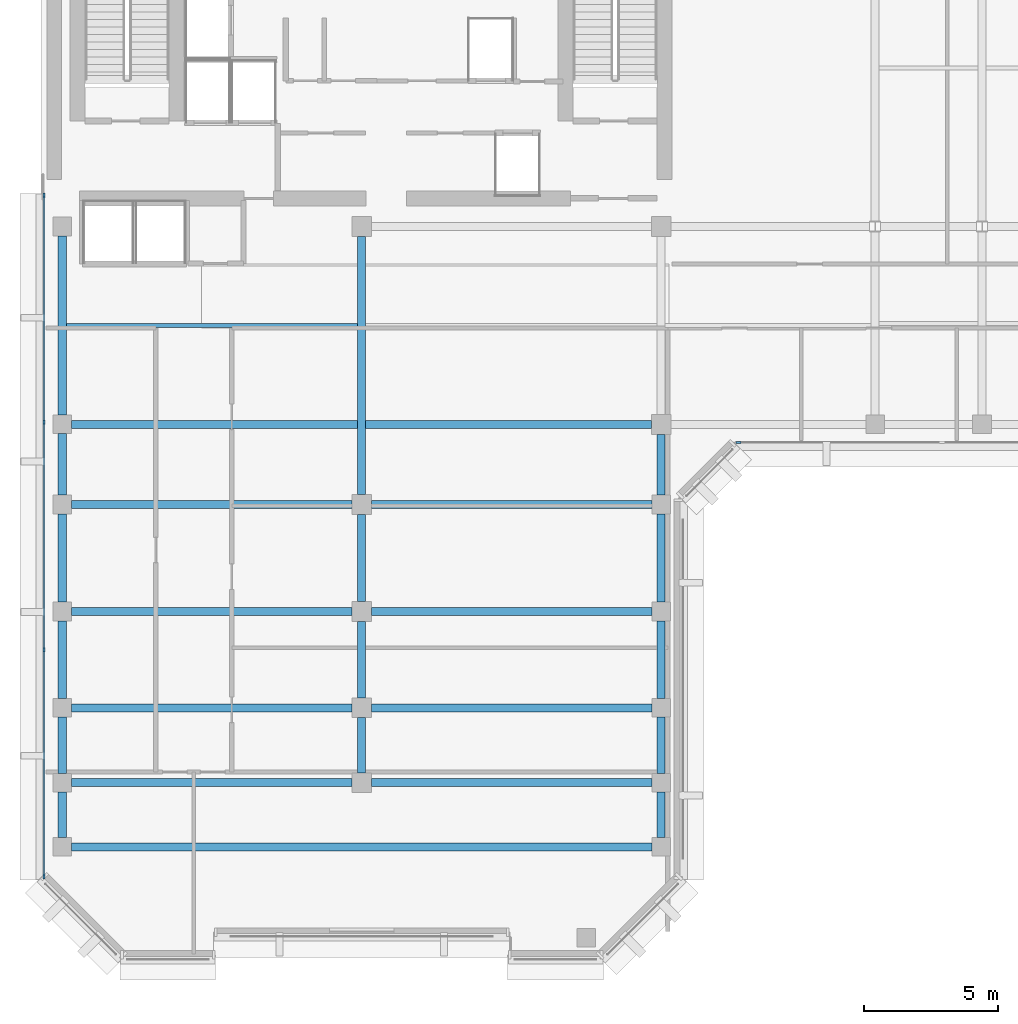
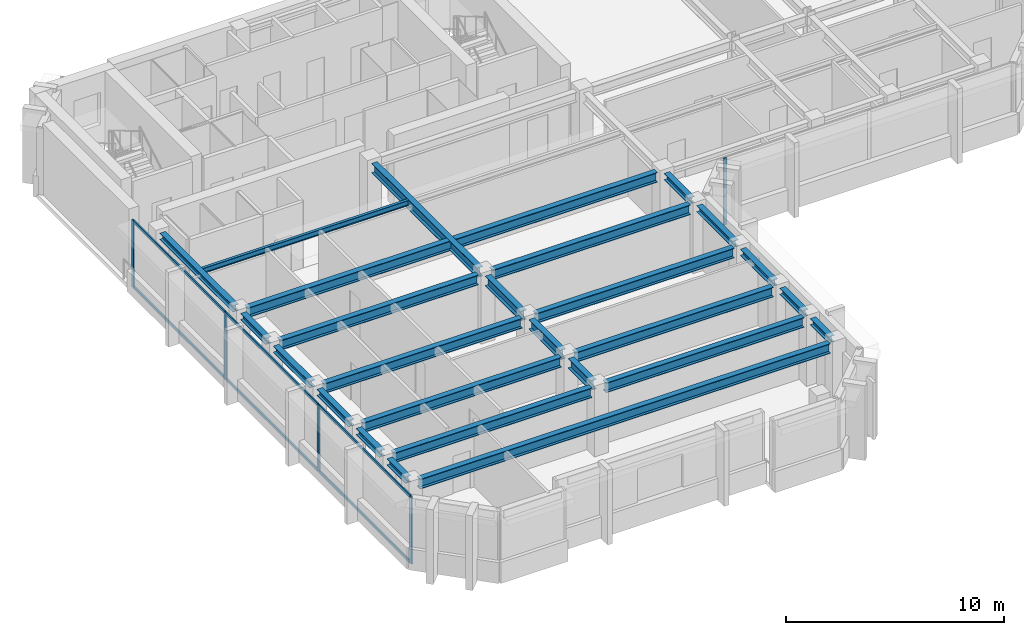
# One storey, part 2 of 12: 26 beams, 11 members, 2 elements without a shape of their own.
"""IFC4 building model written with IfcOpenShell, lengths in metres."""

from ifc_helpers import new_model, si_unit, direction, frame, origin, origin_2d, place, context, subcontext, project, spatial, rectangle, i_section, extrude, material, layer, layer_set, material_profile, profile_set, type_object, element, aggregate, save


model = new_model("IFC4")

# Units and contexts
model_context = context("Model", 3, precision=1e-05, world=origin(), true_north=direction((0.0, 1.0)))
body_context = subcontext(model_context, "Body", "Model", "MODEL_VIEW")
ifc_project = project(units=[si_unit("LENGTHUNIT", "METRE"), si_unit("AREAUNIT", "SQUARE_METRE"), si_unit("VOLUMEUNIT", "CUBIC_METRE"), si_unit("PLANEANGLEUNIT", "RADIAN"), si_unit("MASSUNIT", "GRAM", prefix="KILO")], contexts=[model_context])

# Site, building, storey
site_placement = place(None, origin())
site = spatial("IfcSite", under=ifc_project, at=site_placement, CompositionType="ELEMENT")
building_placement = place(site_placement, origin())
building = spatial("IfcBuilding", under=site, at=building_placement, Name="Kefirva Bronze Tower", CompositionType="ELEMENT")
storey_placement = place(building_placement, frame((0.0, 0.0, 280.169921875)))
storey = spatial("IfcBuildingStorey", under=building, at=storey_placement, Name="L68", CompositionType="ELEMENT", Elevation=280.169921875)

# Curtain wall, member
ifc_material_1 = material(Name="Bronze anodised aluminium", Category="aluminium")
ifc_layer = layer(ifc_material_1, 0.179931640625, Name="Bronze anodised aluminium")
ifc_layer_set = layer_set([ifc_layer], Name="Bronze anodised aluminium")
curtain_wall_type = type_object("IfcCurtainWallType", Name="Unitised Bronze Ribbon Curtain Wall Zone 4", PredefinedType="USERDEFINED", material=ifc_layer_set)
curtain_wall_1_placement = place(storey_placement, origin())
curtain_wall_1 = element("IfcCurtainWall", 1, at=curtain_wall_1_placement, inside=storey, type_object=curtain_wall_type, Name="L68 Curtain Wall 1", ObjectType="UNITISED CURTAIN WALL", PredefinedType="USERDEFINED")
ifc_material_profile_1 = material_profile(ifc_material_1, rectangle(XDim=0.074951171875, YDim=0.179931640625, at=origin_2d()), Name="ALU 75x180")
ifc_profile_set_1 = profile_set([ifc_material_profile_1], Name="Bronze anodised aluminium")
member_type_1 = type_object("IfcMemberType", Name="Bronze Mullion 75x180", PredefinedType="MULLION", material=ifc_profile_set_1)
member_1_placement = place(storey_placement, frame((26.092529296875, 25.1201171875, 0.0), z_axis=(0.0, 0.0, 1.0), x_axis=(0.0, 1.0, 0.0)))
member_1 = element("IfcMember", 2, at=member_1_placement, type_object=member_type_1, Name="CW-04 mullion 1", PredefinedType="MULLION", context=body_context, shape_type="SweptSolid", body=[
    extrude(rectangle(XDim=0.074951171875, YDim=0.179931640625, at=origin_2d()), origin(), (0.0, 0.0, 1.0), 3.739990234375),
])
aggregate(curtain_wall_1, [member_1])

# Curtain wall, members
curtain_wall_2_placement = place(storey_placement, origin())
curtain_wall_2 = element("IfcCurtainWall", 3, at=curtain_wall_2_placement, inside=storey, type_object=curtain_wall_type, Name="L68 Curtain Wall 4", ObjectType="UNITISED CURTAIN WALL", PredefinedType="USERDEFINED")
member_2_placement = place(storey_placement, frame((0.1201171875, 34.357421875, 0.0), z_axis=(0.0, 0.0, 1.0), x_axis=(1.0, 0.0, 0.0)))
member_2 = element("IfcMember", 4, at=member_2_placement, type_object=member_type_1, Name="CW-04 mullion 1", PredefinedType="MULLION", context=body_context, shape_type="SweptSolid", body=[
    extrude(rectangle(XDim=0.074951171875, YDim=0.179931640625, at=origin_2d()), origin(), (0.0, 0.0, 1.0), 3.739990234375),
])
member_3_placement = place(storey_placement, frame((0.1201171875, 25.881591796875, 0.0), z_axis=(0.0, 0.0, 1.0), x_axis=(1.0, 0.0, 0.0)))
member_3 = element("IfcMember", 5, at=member_3_placement, type_object=member_type_1, Name="CW-04 mullion 2", PredefinedType="MULLION", context=body_context, shape_type="SweptSolid", body=[
    extrude(rectangle(XDim=0.074951171875, YDim=0.179931640625, at=origin_2d()), origin(), (0.0, 0.0, 1.0), 3.739990234375),
])
member_4_placement = place(storey_placement, frame((0.1201171875, 17.368408203125, 0.0), z_axis=(0.0, 0.0, 1.0), x_axis=(1.0, 0.0, 0.0)))
member_4 = element("IfcMember", 6, at=member_4_placement, type_object=member_type_1, Name="CW-04 mullion 3", PredefinedType="MULLION", context=body_context, shape_type="SweptSolid", body=[
    extrude(rectangle(XDim=0.074951171875, YDim=0.179931640625, at=origin_2d()), origin(), (0.0, 0.0, 1.0), 3.739990234375),
])
member_5_placement = place(storey_placement, frame((0.1201171875, 8.892578125, 0.0), z_axis=(0.0, 0.0, 1.0), x_axis=(1.0, 0.0, 0.0)))
member_5 = element("IfcMember", 7, at=member_5_placement, type_object=member_type_1, Name="CW-04 mullion 4", PredefinedType="MULLION", context=body_context, shape_type="SweptSolid", body=[
    extrude(rectangle(XDim=0.074951171875, YDim=0.179931640625, at=origin_2d()), origin(), (0.0, 0.0, 1.0), 3.739990234375),
])
ifc_material_profile_2 = material_profile(ifc_material_1, rectangle(XDim=0.074951171875, YDim=0.14990234375, at=origin_2d()), Name="ALU 75x150")
ifc_profile_set_2 = profile_set([ifc_material_profile_2], Name="Bronze anodised aluminium")
member_type_2 = type_object("IfcMemberType", Name="Bronze Transom 75x150", PredefinedType="USERDEFINED", material=ifc_profile_set_2)
member_6_placement = place(storey_placement, frame((0.1201171875, 34.320068359375, 0.03759765625), z_axis=(0.0, -1.0, 0.0), x_axis=(1.0, 0.0, 0.0)))
member_6 = element("IfcMember", 8, at=member_6_placement, type_object=member_type_2, Name="CW-04 transom 1.1", ObjectType="TRANSOM", PredefinedType="USERDEFINED", context=body_context, shape_type="SweptSolid", body=[
    extrude(rectangle(XDim=0.074951171875, YDim=0.14990234375, at=origin_2d()), origin(), (0.0, 0.0, 1.0), 8.40087890625),
])
member_7_placement = place(storey_placement, frame((0.1201171875, 34.320068359375, 3.70263671875), z_axis=(0.0, -1.0, 0.0), x_axis=(1.0, 0.0, 0.0)))
member_7 = element("IfcMember", 9, at=member_7_placement, type_object=member_type_2, Name="CW-04 transom 1.2", ObjectType="TRANSOM", PredefinedType="USERDEFINED", context=body_context, shape_type="SweptSolid", body=[
    extrude(rectangle(XDim=0.074951171875, YDim=0.14990234375, at=origin_2d()), origin(), (0.0, 0.0, 1.0), 8.40087890625),
])
member_8_placement = place(storey_placement, frame((0.1201171875, 25.84423828125, 0.03759765625), z_axis=(0.0, -1.0, 0.0), x_axis=(1.0, 0.0, 0.0)))
member_8 = element("IfcMember", 10, at=member_8_placement, type_object=member_type_2, Name="CW-04 transom 2.1", ObjectType="TRANSOM", PredefinedType="USERDEFINED", context=body_context, shape_type="SweptSolid", body=[
    extrude(rectangle(XDim=0.074951171875, YDim=0.14990234375, at=origin_2d()), origin(), (0.0, 0.0, 1.0), 8.4384765625),
])
member_9_placement = place(storey_placement, frame((0.1201171875, 25.84423828125, 3.70263671875), z_axis=(0.0, -1.0, 0.0), x_axis=(1.0, 0.0, 0.0)))
member_9 = element("IfcMember", 11, at=member_9_placement, type_object=member_type_2, Name="CW-04 transom 2.2", ObjectType="TRANSOM", PredefinedType="USERDEFINED", context=body_context, shape_type="SweptSolid", body=[
    extrude(rectangle(XDim=0.074951171875, YDim=0.14990234375, at=origin_2d()), origin(), (0.0, 0.0, 1.0), 8.4384765625),
])
member_10_placement = place(storey_placement, frame((0.1201171875, 17.330810546875, 0.03759765625), z_axis=(0.0, -1.0, 0.0), x_axis=(1.0, 0.0, 0.0)))
member_10 = element("IfcMember", 12, at=member_10_placement, type_object=member_type_2, Name="CW-04 transom 3.1", ObjectType="TRANSOM", PredefinedType="USERDEFINED", context=body_context, shape_type="SweptSolid", body=[
    extrude(rectangle(XDim=0.074951171875, YDim=0.14990234375, at=origin_2d()), origin(), (0.0, 0.0, 1.0), 8.40087890625),
])
member_11_placement = place(storey_placement, frame((0.1201171875, 17.330810546875, 3.70263671875), z_axis=(0.0, -1.0, 0.0), x_axis=(1.0, 0.0, 0.0)))
member_11 = element("IfcMember", 13, at=member_11_placement, type_object=member_type_2, Name="CW-04 transom 3.2", ObjectType="TRANSOM", PredefinedType="USERDEFINED", context=body_context, shape_type="SweptSolid", body=[
    extrude(rectangle(XDim=0.074951171875, YDim=0.14990234375, at=origin_2d()), origin(), (0.0, 0.0, 1.0), 8.40087890625),
])
aggregate(curtain_wall_2, [member_2, member_3, member_4, member_5, member_6, member_7, member_8, member_9, member_10, member_11])

# Beams
ifc_material_2 = material(Name="Steel S355", Category="steel")
ifc_material_profile_3 = material_profile(ifc_material_2, i_section(OverallWidth=0.14990234375, OverallDepth=0.300048828125, WebThickness=0.007080078125, FlangeThickness=0.0107421875, at=origin_2d()), Name="IPE 300")
ifc_profile_set_3 = profile_set([ifc_material_profile_3], Name="Steel S355")
beam_type_1 = type_object("IfcBeamType", Name="Steel Floor Joist IPE 300", PredefinedType="JOIST", material=ifc_profile_set_3)
beam_1_placement = place(storey_placement, frame((0.949951171875, 29.489990234375, 3.590087890625), z_axis=(1.0, 0.0, 0.0), x_axis=(0.0, 1.0, 0.0)))
element("IfcBeam", 14, at=beam_1_placement, inside=storey, type_object=beam_type_1, Name="L68 JST-L68-0-294", PredefinedType="JOIST", context=body_context, shape_type="SweptSolid", body=[
    extrude(i_section(OverallWidth=0.14990234375, OverallDepth=0.300048828125, WebThickness=0.007080078125, FlangeThickness=0.0107421875, at=origin_2d()), origin(), (0.0, 0.0, 1.0), 10.900146484375),
])
ifc_material_profile_4 = material_profile(ifc_material_2, i_section(OverallWidth=0.300048828125, OverallDepth=0.550048828125, WebThickness=0.014892578125, FlangeThickness=0.029052734375, at=origin_2d()), Name="HEB 550")
ifc_profile_set_4 = profile_set([ifc_material_profile_4], Name="Steel S355")
beam_type_2 = type_object("IfcBeamType", Name="Steel Girder HEB 550", PredefinedType="USERDEFINED", material=ifc_profile_set_4)
beam_2_placement = place(storey_placement, frame((1.14990234375, 10.0, 3.465087890625), z_axis=(1.0, 0.0, 0.0), x_axis=(0.0, 1.0, 0.0)))
element("IfcBeam", 15, at=beam_2_placement, inside=storey, type_object=beam_type_2, Name="L68 BM-L68-EW-0-100", ObjectType="GIRDER", PredefinedType="USERDEFINED", context=body_context, shape_type="SweptSolid", body=[
    extrude(i_section(OverallWidth=0.300048828125, OverallDepth=0.550048828125, WebThickness=0.014892578125, FlangeThickness=0.029052734375, at=origin_2d()), origin(), (0.0, 0.0, 1.0), 21.7001953125),
])
for number, where, z_axis, x_axis, name in (
    (16, (1.14990234375, 12.39990234375, 3.465087890625), (1.0, 0.0, 0.0), (0.0, 1.0, 0.0), "L68 BM-L68-EW-0-124"),
    (17, (12.3701171875, 12.39990234375, 3.465087890625), (1.0, 0.0, 0.0), (0.0, 1.0, 0.0), "L68 BM-L68-EW-12-124"),
    (18, (1.14990234375, 15.199951171875, 3.465087890625), (1.0, 0.0, 0.0), (0.0, 1.0, 0.0), "L68 BM-L68-EW-0-152"),
    (19, (12.3701171875, 15.199951171875, 3.465087890625), (1.0, 0.0, 0.0), (0.0, 1.0, 0.0), "L68 BM-L68-EW-12-152"),
    (20, (1.14990234375, 18.800048828125, 3.465087890625), (1.0, 0.0, 0.0), (0.0, 1.0, 0.0), "L68 BM-L68-EW-0-188"),
    (21, (12.3701171875, 18.800048828125, 3.465087890625), (1.0, 0.0, 0.0), (0.0, 1.0, 0.0), "L68 BM-L68-EW-12-188"),
    (22, (1.14990234375, 22.800048828125, 3.465087890625), (1.0, 0.0, 0.0), (0.0, 1.0, 0.0), "L68 BM-L68-EW-0-228"),
    (23, (12.3701171875, 22.800048828125, 3.465087890625), (1.0, 0.0, 0.0), (0.0, 1.0, 0.0), "L68 BM-L68-EW-12-228"),
):
    element("IfcBeam", number, at=place(storey_placement, frame(where, z_axis=z_axis, x_axis=x_axis)), inside=storey, type_object=beam_type_2, Name=name, ObjectType="GIRDER", PredefinedType="USERDEFINED", context=body_context, shape_type="SweptSolid", body=[
        extrude(i_section(OverallWidth=0.300048828125, OverallDepth=0.550048828125, WebThickness=0.014892578125, FlangeThickness=0.029052734375, at=origin_2d()), origin(), (0.0, 0.0, 1.0), 10.47998046875),
    ])
beam_3_placement = place(storey_placement, frame((1.14990234375, 25.800048828125, 3.465087890625), z_axis=(1.0, 0.0, 0.0), x_axis=(0.0, 1.0, 0.0)))
element("IfcBeam", 24, at=beam_3_placement, inside=storey, type_object=beam_type_2, Name="L68 BM-L68-EW-0-258", ObjectType="GIRDER", PredefinedType="USERDEFINED", context=body_context, shape_type="SweptSolid", body=[
    extrude(i_section(OverallWidth=0.300048828125, OverallDepth=0.550048828125, WebThickness=0.014892578125, FlangeThickness=0.029052734375, at=origin_2d()), origin(), (0.0, 0.0, 1.0), 21.68017578125),
])
beam_4_placement = place(storey_placement, frame((12.0, 12.77001953125, 3.465087890625), z_axis=(0.0, 1.0, 0.0), x_axis=(-1.0, 0.0, 0.0)))
element("IfcBeam", 25, at=beam_4_placement, inside=storey, type_object=beam_type_2, Name="L68 BM-L68-NS-120-12", ObjectType="GIRDER", PredefinedType="USERDEFINED", context=body_context, shape_type="SweptSolid", body=[
    extrude(i_section(OverallWidth=0.300048828125, OverallDepth=0.550048828125, WebThickness=0.014892578125, FlangeThickness=0.029052734375, at=origin_2d()), origin(), (0.0, 0.0, 1.0), 2.06005859375),
])
beam_5_placement = place(storey_placement, frame((12.0, 15.570068359375, 3.465087890625), z_axis=(0.0, 1.0, 0.0), x_axis=(-1.0, 0.0, 0.0)))
element("IfcBeam", 26, at=beam_5_placement, inside=storey, type_object=beam_type_2, Name="L68 BM-L68-NS-120-15", ObjectType="GIRDER", PredefinedType="USERDEFINED", context=body_context, shape_type="SweptSolid", body=[
    extrude(i_section(OverallWidth=0.300048828125, OverallDepth=0.550048828125, WebThickness=0.014892578125, FlangeThickness=0.029052734375, at=origin_2d()), origin(), (0.0, 0.0, 1.0), 2.85986328125),
])
beam_6_placement = place(storey_placement, frame((12.0, 19.169921875, 3.465087890625), z_axis=(0.0, 1.0, 0.0), x_axis=(-1.0, 0.0, 0.0)))
element("IfcBeam", 27, at=beam_6_placement, inside=storey, type_object=beam_type_2, Name="L68 BM-L68-NS-120-18", ObjectType="GIRDER", PredefinedType="USERDEFINED", context=body_context, shape_type="SweptSolid", body=[
    extrude(i_section(OverallWidth=0.300048828125, OverallDepth=0.550048828125, WebThickness=0.014892578125, FlangeThickness=0.029052734375, at=origin_2d()), origin(), (0.0, 0.0, 1.0), 3.260009765625),
])
beam_7_placement = place(storey_placement, frame((12.0, 23.169921875, 3.465087890625), z_axis=(0.0, 1.0, 0.0), x_axis=(-1.0, 0.0, 0.0)))
element("IfcBeam", 28, at=beam_7_placement, inside=storey, type_object=beam_type_2, Name="L68 BM-L68-NS-120-22", ObjectType="GIRDER", PredefinedType="USERDEFINED", context=body_context, shape_type="SweptSolid", body=[
    extrude(i_section(OverallWidth=0.300048828125, OverallDepth=0.550048828125, WebThickness=0.014892578125, FlangeThickness=0.029052734375, at=origin_2d()), origin(), (0.0, 0.0, 1.0), 9.66015625),
])
ifc_material_profile_5 = material_profile(ifc_material_2, i_section(OverallWidth=0.300048828125, OverallDepth=0.360107421875, WebThickness=0.012451171875, FlangeThickness=0.0224609375, at=origin_2d()), Name="HEB 360")
ifc_profile_set_5 = profile_set([ifc_material_profile_5], Name="Steel S355")
beam_type_3 = type_object("IfcBeamType", Name="Steel Spandrel HEB 360 Ext", PredefinedType="SPANDREL", material=ifc_profile_set_5)
beam_8_placement = place(storey_placement, frame((0.800048828125, 10.35009765625, 3.56005859375), z_axis=(0.0, 1.0, 0.0), x_axis=(-1.0, 0.0, 0.0)))
element("IfcBeam", 29, at=beam_8_placement, inside=storey, type_object=beam_type_3, Name="L68 BM-L68-NS-8-10", PredefinedType="SPANDREL", context=body_context, shape_type="SweptSolid", body=[
    extrude(i_section(OverallWidth=0.300048828125, OverallDepth=0.360107421875, WebThickness=0.012451171875, FlangeThickness=0.0224609375, at=origin_2d()), origin(), (0.0, 0.0, 1.0), 1.699951171875),
])
beam_9_placement = place(storey_placement, frame((0.800048828125, 12.75, 3.56005859375), z_axis=(0.0, 1.0, 0.0), x_axis=(-1.0, 0.0, 0.0)))
element("IfcBeam", 30, at=beam_9_placement, inside=storey, type_object=beam_type_3, Name="L68 BM-L68-NS-8-12", PredefinedType="SPANDREL", context=body_context, shape_type="SweptSolid", body=[
    extrude(i_section(OverallWidth=0.300048828125, OverallDepth=0.360107421875, WebThickness=0.012451171875, FlangeThickness=0.0224609375, at=origin_2d()), origin(), (0.0, 0.0, 1.0), 2.10009765625),
])
beam_10_placement = place(storey_placement, frame((0.800048828125, 15.550048828125, 3.56005859375), z_axis=(0.0, 1.0, 0.0), x_axis=(-1.0, 0.0, 0.0)))
element("IfcBeam", 31, at=beam_10_placement, inside=storey, type_object=beam_type_3, Name="L68 BM-L68-NS-8-15", PredefinedType="SPANDREL", context=body_context, shape_type="SweptSolid", body=[
    extrude(i_section(OverallWidth=0.300048828125, OverallDepth=0.360107421875, WebThickness=0.012451171875, FlangeThickness=0.0224609375, at=origin_2d()), origin(), (0.0, 0.0, 1.0), 2.89990234375),
])
beam_11_placement = place(storey_placement, frame((0.800048828125, 19.14990234375, 3.56005859375), z_axis=(0.0, 1.0, 0.0), x_axis=(-1.0, 0.0, 0.0)))
element("IfcBeam", 32, at=beam_11_placement, inside=storey, type_object=beam_type_3, Name="L68 BM-L68-NS-8-18", PredefinedType="SPANDREL", context=body_context, shape_type="SweptSolid", body=[
    extrude(i_section(OverallWidth=0.300048828125, OverallDepth=0.360107421875, WebThickness=0.012451171875, FlangeThickness=0.0224609375, at=origin_2d()), origin(), (0.0, 0.0, 1.0), 3.300048828125),
])
beam_12_placement = place(storey_placement, frame((0.800048828125, 23.14990234375, 3.56005859375), z_axis=(0.0, 1.0, 0.0), x_axis=(-1.0, 0.0, 0.0)))
element("IfcBeam", 33, at=beam_12_placement, inside=storey, type_object=beam_type_3, Name="L68 BM-L68-NS-8-22", PredefinedType="SPANDREL", context=body_context, shape_type="SweptSolid", body=[
    extrude(i_section(OverallWidth=0.300048828125, OverallDepth=0.360107421875, WebThickness=0.012451171875, FlangeThickness=0.0224609375, at=origin_2d()), origin(), (0.0, 0.0, 1.0), 2.300048828125),
])
beam_13_placement = place(storey_placement, frame((0.800048828125, 26.14990234375, 3.56005859375), z_axis=(0.0, 1.0, 0.0), x_axis=(-1.0, 0.0, 0.0)))
element("IfcBeam", 34, at=beam_13_placement, inside=storey, type_object=beam_type_3, Name="L68 BM-L68-NS-8-25", PredefinedType="SPANDREL", context=body_context, shape_type="SweptSolid", body=[
    extrude(i_section(OverallWidth=0.300048828125, OverallDepth=0.360107421875, WebThickness=0.012451171875, FlangeThickness=0.0224609375, at=origin_2d()), origin(), (0.0, 0.0, 1.0), 6.7001953125),
])
beam_14_placement = place(storey_placement, frame((23.199951171875, 10.35009765625, 3.56005859375), z_axis=(0.0, 1.0, 0.0), x_axis=(-1.0, 0.0, 0.0)))
element("IfcBeam", 35, at=beam_14_placement, inside=storey, type_object=beam_type_3, Name="L68 BM-L68-NS-232-10", PredefinedType="SPANDREL", context=body_context, shape_type="SweptSolid", body=[
    extrude(i_section(OverallWidth=0.300048828125, OverallDepth=0.360107421875, WebThickness=0.012451171875, FlangeThickness=0.0224609375, at=origin_2d()), origin(), (0.0, 0.0, 1.0), 1.699951171875),
])
beam_15_placement = place(storey_placement, frame((23.199951171875, 12.75, 3.56005859375), z_axis=(0.0, 1.0, 0.0), x_axis=(-1.0, 0.0, 0.0)))
element("IfcBeam", 36, at=beam_15_placement, inside=storey, type_object=beam_type_3, Name="L68 BM-L68-NS-232-12", PredefinedType="SPANDREL", context=body_context, shape_type="SweptSolid", body=[
    extrude(i_section(OverallWidth=0.300048828125, OverallDepth=0.360107421875, WebThickness=0.012451171875, FlangeThickness=0.0224609375, at=origin_2d()), origin(), (0.0, 0.0, 1.0), 2.10009765625),
])
beam_16_placement = place(storey_placement, frame((23.199951171875, 15.550048828125, 3.56005859375), z_axis=(0.0, 1.0, 0.0), x_axis=(-1.0, 0.0, 0.0)))
element("IfcBeam", 37, at=beam_16_placement, inside=storey, type_object=beam_type_3, Name="L68 BM-L68-NS-232-15", PredefinedType="SPANDREL", context=body_context, shape_type="SweptSolid", body=[
    extrude(i_section(OverallWidth=0.300048828125, OverallDepth=0.360107421875, WebThickness=0.012451171875, FlangeThickness=0.0224609375, at=origin_2d()), origin(), (0.0, 0.0, 1.0), 2.89990234375),
])
beam_17_placement = place(storey_placement, frame((23.199951171875, 19.14990234375, 3.56005859375), z_axis=(0.0, 1.0, 0.0), x_axis=(-1.0, 0.0, 0.0)))
element("IfcBeam", 38, at=beam_17_placement, inside=storey, type_object=beam_type_3, Name="L68 BM-L68-NS-232-18", PredefinedType="SPANDREL", context=body_context, shape_type="SweptSolid", body=[
    extrude(i_section(OverallWidth=0.300048828125, OverallDepth=0.360107421875, WebThickness=0.012451171875, FlangeThickness=0.0224609375, at=origin_2d()), origin(), (0.0, 0.0, 1.0), 3.300048828125),
])
beam_18_placement = place(storey_placement, frame((23.199951171875, 23.14990234375, 3.56005859375), z_axis=(0.0, 1.0, 0.0), x_axis=(-1.0, 0.0, 0.0)))
element("IfcBeam", 39, at=beam_18_placement, inside=storey, type_object=beam_type_3, Name="L68 BM-L68-NS-232-22", PredefinedType="SPANDREL", context=body_context, shape_type="SweptSolid", body=[
    extrude(i_section(OverallWidth=0.300048828125, OverallDepth=0.360107421875, WebThickness=0.012451171875, FlangeThickness=0.0224609375, at=origin_2d()), origin(), (0.0, 0.0, 1.0), 2.280029296875),
])

save(model, "model.ifc")
